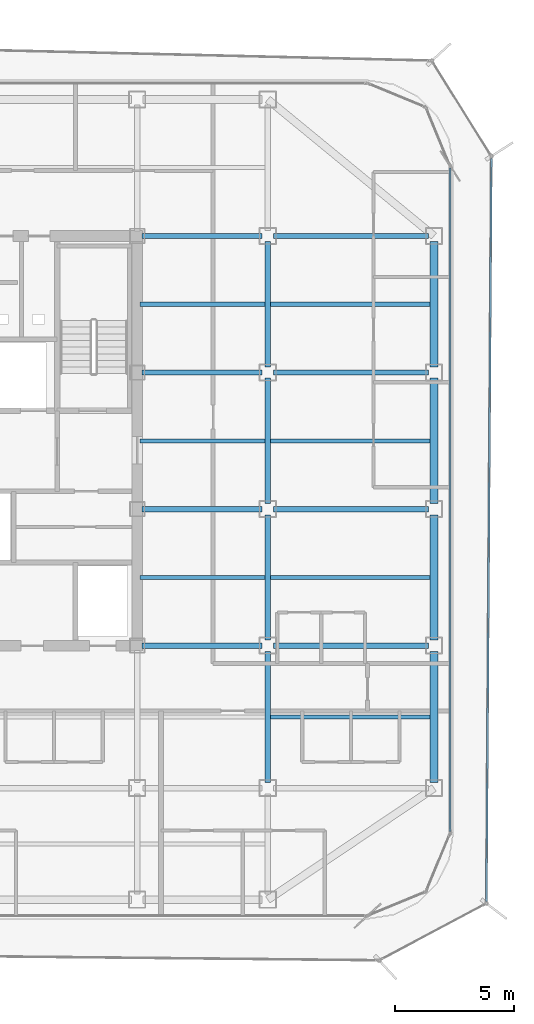
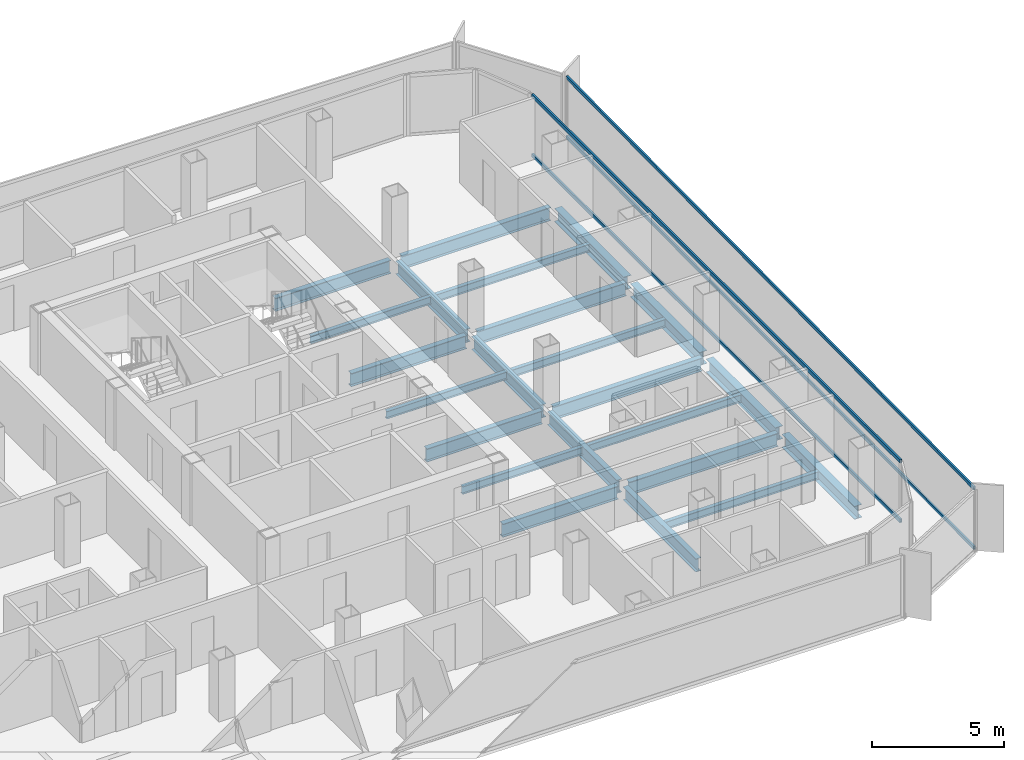
# One storey, part 5 of 16: 23 beams, 4 members, 2 elements without a shape of their own.
"""IFC4 building model written with IfcOpenShell, lengths in metres."""

from ifc_helpers import new_model, si_unit, direction, frame, origin, origin_2d, place, context, subcontext, project, spatial, hollow_rectangle, i_section, extrude, source, transform, mapped, material, layer, layer_set, material_profile, profile_set, type_object, element, aggregate, save


model = new_model("IFC4")

# Units and contexts
model_context = context("Model", 3, precision=1e-05, world=origin(), true_north=direction((0.0, 1.0)))
body_context = subcontext(model_context, "Body", "Model", "MODEL_VIEW")
ifc_project = project(units=[si_unit("LENGTHUNIT", "METRE"), si_unit("AREAUNIT", "SQUARE_METRE"), si_unit("VOLUMEUNIT", "CUBIC_METRE"), si_unit("PLANEANGLEUNIT", "RADIAN"), si_unit("MASSUNIT", "GRAM", prefix="KILO")], contexts=[model_context])

# Site, building, storey
site_placement = place(None, origin())
site = spatial("IfcSite", under=ifc_project, at=site_placement, CompositionType="ELEMENT")
building_placement = place(site_placement, origin())
building = spatial("IfcBuilding", under=site, at=building_placement, Name="Kolveth Station Tower", CompositionType="ELEMENT")
storey_placement = place(building_placement, frame((0.0, 0.0, 212.39990234375)))
storey = spatial("IfcBuildingStorey", under=building, at=storey_placement, Name="L60", CompositionType="ELEMENT", Elevation=212.39990234375)

# Beams
ifc_material_1 = material(Name="Steel S355", Category="steel")
ifc_material_profile_1 = material_profile(ifc_material_1, i_section(OverallWidth=0.323974609375, OverallDepth=0.611083984375, WebThickness=0.0126953125, FlangeThickness=0.01904296875, at=origin_2d()), Name="W610x155")
ifc_profile_set_1 = profile_set([ifc_material_profile_1], Name="Steel S355")
beam_type_1 = type_object("IfcBeamType", Name="Beam_SP2", PredefinedType="SPANDREL", material=ifc_profile_set_1)
shared_shape_1 = source(origin(), body_context, "Body", "SweptSolid", [
    extrude(i_section(OverallWidth=0.323974609375, OverallDepth=0.611083984375, WebThickness=0.0126953125, FlangeThickness=0.01904296875, at=origin_2d()), origin(), (0.0, 0.0, 1.0), 5.52001953125),
])
beam_1_placement = place(storey_placement, frame((41.0, 5.739990234375, -0.555419921875), z_axis=(0.0, 1.0, 0.0), x_axis=(-1.0, 0.0, 0.0)))
element("IfcBeam", 1, at=beam_1_placement, inside=storey, type_object=beam_type_1, Name="L60 Perimeter Spandrel BM-L60-PE-1", PredefinedType="SPANDREL", context=body_context, shape_type="MappedRepresentation", body=[
    mapped(shared_shape_1, transform((0.0, 0.0, 0.0), x_axis=(1.0, 0.0, 0.0), y_axis=(0.0, 1.0, 0.0), z_axis=(0.0, 0.0, 1.0), scale=1.0)),
])
shared_shape_2 = source(origin(), body_context, "Body", "SweptSolid", [
    extrude(i_section(OverallWidth=0.323974609375, OverallDepth=0.611083984375, WebThickness=0.0126953125, FlangeThickness=0.01904296875, at=origin_2d()), origin(), (0.0, 0.0, 1.0), 5.27001953125),
])
for number, where, z_axis, x_axis, name in (
    (2, (41.0, 11.739990234375, -0.555419921875), (0.0, 1.0, 0.0), (-1.0, 0.0, 0.0), "L60 Perimeter Spandrel BM-L60-PE-2"),
    (3, (41.0, 17.489990234375, -0.555419921875), (0.0, 1.0, 0.0), (-1.0, 0.0, 0.0), "L60 Perimeter Spandrel BM-L60-PE-3"),
    (4, (41.0, 23.239990234375, -0.555419921875), (0.0, 1.0, 0.0), (-1.0, 0.0, 0.0), "L60 Perimeter Spandrel BM-L60-PE-4"),
):
    element("IfcBeam", number, at=place(storey_placement, frame(where, z_axis=z_axis, x_axis=x_axis)), inside=storey, type_object=beam_type_1, Name=name, PredefinedType="SPANDREL", context=body_context, shape_type="MappedRepresentation", body=[
        mapped(shared_shape_2, transform((0.0, 0.0, 0.0), x_axis=(1.0, 0.0, 0.0), y_axis=(0.0, 1.0, 0.0), z_axis=(0.0, 0.0, 1.0), scale=1.0)),
    ])
ifc_material_profile_2 = material_profile(ifc_material_1, i_section(OverallWidth=0.22900390625, OverallDepth=0.612060546875, WebThickness=0.011962890625, FlangeThickness=0.01953125, at=origin_2d()), Name="W610x125")
ifc_profile_set_2 = profile_set([ifc_material_profile_2], Name="Steel S355")
beam_type_2 = type_object("IfcBeamType", Name="Beam_B5", PredefinedType="BEAM", material=ifc_profile_set_2)
shared_shape_3 = source(origin(), body_context, "Body", "SweptSolid", [
    extrude(i_section(OverallWidth=0.22900390625, OverallDepth=0.612060546875, WebThickness=0.011962890625, FlangeThickness=0.01953125, at=origin_2d()), origin(), (0.0, 0.0, 1.0), 6.52001953125),
])
for number, where, z_axis, x_axis, name in (
    (5, (34.239990234375, 11.5, -0.555908203125), (1.0, 0.0, 0.0), (0.0, 1.0, 0.0), "L60 Primary Girder BM-L60-GY115-6"),
    (6, (34.239990234375, 17.25, -0.555908203125), (1.0, 0.0, 0.0), (0.0, 1.0, 0.0), "L60 Primary Girder BM-L60-GY172-6"),
    (7, (34.239990234375, 23.0, -0.555908203125), (1.0, 0.0, 0.0), (0.0, 1.0, 0.0), "L60 Primary Girder BM-L60-GY230-6"),
    (8, (34.239990234375, 28.75, -0.555908203125), (1.0, 0.0, 0.0), (0.0, 1.0, 0.0), "L60 Primary Girder BM-L60-GY287-6"),
):
    element("IfcBeam", number, at=place(storey_placement, frame(where, z_axis=z_axis, x_axis=x_axis)), inside=storey, type_object=beam_type_2, Name=name, PredefinedType="BEAM", context=body_context, shape_type="MappedRepresentation", body=[
        mapped(shared_shape_3, transform((0.0, 0.0, 0.0), x_axis=(1.0, 0.0, 0.0), y_axis=(0.0, 1.0, 0.0), z_axis=(0.0, 0.0, 1.0), scale=1.0)),
    ])
shared_shape_4 = source(origin(), body_context, "Body", "SweptSolid", [
    extrude(i_section(OverallWidth=0.22900390625, OverallDepth=0.612060546875, WebThickness=0.011962890625, FlangeThickness=0.01953125, at=origin_2d()), origin(), (0.0, 0.0, 1.0), 5.06005859375),
])
for number, where, z_axis, x_axis, name in (
    (9, (28.699951171875, 11.5, -0.555908203125), (1.0, 0.0, 0.0), (0.0, 1.0, 0.0), "L60 Primary Girder BM-L60-GY115-5"),
    (10, (28.699951171875, 17.25, -0.555908203125), (1.0, 0.0, 0.0), (0.0, 1.0, 0.0), "L60 Primary Girder BM-L60-GY172-5"),
    (11, (28.699951171875, 23.0, -0.555908203125), (1.0, 0.0, 0.0), (0.0, 1.0, 0.0), "L60 Primary Girder BM-L60-GY230-5"),
    (12, (28.699951171875, 28.75, -0.555908203125), (1.0, 0.0, 0.0), (0.0, 1.0, 0.0), "L60 Primary Girder BM-L60-GY287-5"),
):
    element("IfcBeam", number, at=place(storey_placement, frame(where, z_axis=z_axis, x_axis=x_axis)), inside=storey, type_object=beam_type_2, Name=name, PredefinedType="BEAM", context=body_context, shape_type="MappedRepresentation", body=[
        mapped(shared_shape_4, transform((0.0, 0.0, 0.0), x_axis=(1.0, 0.0, 0.0), y_axis=(0.0, 1.0, 0.0), z_axis=(0.0, 0.0, 1.0), scale=1.0)),
    ])
shared_shape_5 = source(origin(), body_context, "Body", "SweptSolid", [
    extrude(i_section(OverallWidth=0.22900390625, OverallDepth=0.612060546875, WebThickness=0.011962890625, FlangeThickness=0.01953125, at=origin_2d()), origin(), (0.0, 0.0, 1.0), 5.52001953125),
])
beam_2_placement = place(storey_placement, frame((34.0, 5.739990234375, -0.555908203125), z_axis=(0.0, 1.0, 0.0), x_axis=(-1.0, 0.0, 0.0)))
element("IfcBeam", 13, at=beam_2_placement, inside=storey, type_object=beam_type_2, Name="L60 Primary Girder BM-L60-GX340-2", PredefinedType="BEAM", context=body_context, shape_type="MappedRepresentation", body=[
    mapped(shared_shape_5, transform((0.0, 0.0, 0.0), x_axis=(1.0, 0.0, 0.0), y_axis=(0.0, 1.0, 0.0), z_axis=(0.0, 0.0, 1.0), scale=1.0)),
])
shared_shape_6 = source(origin(), body_context, "Body", "SweptSolid", [
    extrude(i_section(OverallWidth=0.22900390625, OverallDepth=0.612060546875, WebThickness=0.011962890625, FlangeThickness=0.01953125, at=origin_2d()), origin(), (0.0, 0.0, 1.0), 5.27001953125),
])
for number, where, z_axis, x_axis, name in (
    (14, (34.0, 11.739990234375, -0.555908203125), (0.0, 1.0, 0.0), (-1.0, 0.0, 0.0), "L60 Primary Girder BM-L60-GX340-3"),
    (15, (34.0, 17.489990234375, -0.555908203125), (0.0, 1.0, 0.0), (-1.0, 0.0, 0.0), "L60 Primary Girder BM-L60-GX340-4"),
    (16, (34.0, 23.239990234375, -0.555908203125), (0.0, 1.0, 0.0), (-1.0, 0.0, 0.0), "L60 Primary Girder BM-L60-GX340-5"),
):
    element("IfcBeam", number, at=place(storey_placement, frame(where, z_axis=z_axis, x_axis=x_axis)), inside=storey, type_object=beam_type_2, Name=name, PredefinedType="BEAM", context=body_context, shape_type="MappedRepresentation", body=[
        mapped(shared_shape_6, transform((0.0, 0.0, 0.0), x_axis=(1.0, 0.0, 0.0), y_axis=(0.0, 1.0, 0.0), z_axis=(0.0, 0.0, 1.0), scale=1.0)),
    ])
ifc_material_profile_3 = material_profile(ifc_material_1, i_section(OverallWidth=0.1708984375, OverallDepth=0.35205078125, WebThickness=0.0068359375, FlangeThickness=0.009765625, at=origin_2d()), Name="W360x44")
ifc_profile_set_3 = profile_set([ifc_material_profile_3], Name="Steel S355")
beam_type_3 = type_object("IfcBeamType", Name="Beam_J2", PredefinedType="JOIST", material=ifc_profile_set_3)
shared_shape_7 = source(origin(), body_context, "Body", "SweptSolid", [
    extrude(i_section(OverallWidth=0.1708984375, OverallDepth=0.35205078125, WebThickness=0.0068359375, FlangeThickness=0.009765625, at=origin_2d()), origin(), (0.0, 0.0, 1.0), 5.27490234375),
])
for number, where, z_axis, x_axis, name in (
    (17, (28.612548828125, 14.375, -0.42578125), (1.0, 0.0, 0.0), (0.0, 1.0, 0.0), "L60 Secondary Joist JST-L60-5-3"),
    (18, (28.612548828125, 20.125, -0.42578125), (1.0, 0.0, 0.0), (0.0, 1.0, 0.0), "L60 Secondary Joist JST-L60-5-4"),
    (19, (28.612548828125, 25.875, -0.42578125), (1.0, 0.0, 0.0), (0.0, 1.0, 0.0), "L60 Secondary Joist JST-L60-5-5"),
):
    element("IfcBeam", number, at=place(storey_placement, frame(where, z_axis=z_axis, x_axis=x_axis)), inside=storey, type_object=beam_type_3, Name=name, PredefinedType="JOIST", context=body_context, shape_type="MappedRepresentation", body=[
        mapped(shared_shape_7, transform((0.0, 0.0, 0.0), x_axis=(1.0, 0.0, 0.0), y_axis=(0.0, 1.0, 0.0), z_axis=(0.0, 0.0, 1.0), scale=1.0)),
    ])
shared_shape_8 = source(origin(), body_context, "Body", "SweptSolid", [
    extrude(i_section(OverallWidth=0.1708984375, OverallDepth=0.35205078125, WebThickness=0.0068359375, FlangeThickness=0.009765625, at=origin_2d()), origin(), (0.0, 0.0, 1.0), 6.7275390625),
])
for number, where, z_axis, x_axis, name in (
    (20, (34.112548828125, 8.5, -0.42578125), (1.0, 0.0, 0.0), (0.0, 1.0, 0.0), "L60 Secondary Joist JST-L60-6-2"),
    (21, (34.112548828125, 14.375, -0.42578125), (1.0, 0.0, 0.0), (0.0, 1.0, 0.0), "L60 Secondary Joist JST-L60-6-3"),
    (22, (34.112548828125, 20.125, -0.42578125), (1.0, 0.0, 0.0), (0.0, 1.0, 0.0), "L60 Secondary Joist JST-L60-6-4"),
    (23, (34.112548828125, 25.875, -0.42578125), (1.0, 0.0, 0.0), (0.0, 1.0, 0.0), "L60 Secondary Joist JST-L60-6-5"),
):
    element("IfcBeam", number, at=place(storey_placement, frame(where, z_axis=z_axis, x_axis=x_axis)), inside=storey, type_object=beam_type_3, Name=name, PredefinedType="JOIST", context=body_context, shape_type="MappedRepresentation", body=[
        mapped(shared_shape_8, transform((0.0, 0.0, 0.0), x_axis=(1.0, 0.0, 0.0), y_axis=(0.0, 1.0, 0.0), z_axis=(0.0, 0.0, 1.0), scale=1.0)),
    ])

# Curtain wall, members
ifc_material_2 = material(Name="Aluminium 6063-T6 and low-E dark glass", Category="aluminium")
ifc_layer_1 = layer(ifc_material_2, 0.18994140625)
ifc_layer_set_1 = layer_set([ifc_layer_1], Name="Aluminium 6063-T6 and low-E dark glass")
curtain_wall_type_1 = type_object("IfcCurtainWallType", Name="CurtainWall_CW-Z2", PredefinedType="NOTDEFINED", material=ifc_layer_set_1)
curtain_wall_1_placement = place(storey_placement, origin())
curtain_wall_1 = element("IfcCurtainWall", 24, at=curtain_wall_1_placement, inside=storey, type_object=curtain_wall_type_1, Name="L60 Inner Thermal Curtain Wall 3", PredefinedType="NOTDEFINED")
ifc_material_3 = material(Name="Black anodized aluminium 6063-T6", Category="aluminium")
ifc_material_profile_4 = material_profile(ifc_material_3, hollow_rectangle(XDim=0.080078125, YDim=0.169921875, WallThickness=0.0048828125, at=origin_2d()), Name="ALU-80x170x5")
ifc_profile_set_4 = profile_set([ifc_material_profile_4], Name="Black anodized aluminium 6063-T6")
member_type_1 = type_object("IfcMemberType", Name="Transom_TR2", PredefinedType="USERDEFINED", material=ifc_profile_set_4)
shared_shape_9 = source(origin(), body_context, "Body", "SweptSolid", [
    extrude(hollow_rectangle(XDim=0.080078125, YDim=0.169921875, WallThickness=0.0048828125, at=origin_2d()), origin(), (0.0, 0.0, 1.0), 27.940185546875),
])
member_1_placement = place(storey_placement, frame((41.679931640625, 3.679931640625, 0.0400390625), z_axis=(0.0, 1.0, 0.0), x_axis=(-1.0, 0.0, 0.0)))
member_1 = element("IfcMember", 25, at=member_1_placement, type_object=member_type_1, Name="CW-Z2 transom 1.1", ObjectType="TRANSOM", PredefinedType="USERDEFINED", context=body_context, shape_type="MappedRepresentation", body=[
    mapped(shared_shape_9, transform((0.0, 0.0, 0.0), x_axis=(1.0, 0.0, 0.0), y_axis=(0.0, 1.0, 0.0), z_axis=(0.0, 0.0, 1.0), scale=1.0)),
])
member_2_placement = place(storey_placement, frame((41.679931640625, 3.679931640625, 2.800048828125), z_axis=(0.0, 1.0, 0.0), x_axis=(-1.0, 0.0, 0.0)))
member_2 = element("IfcMember", 26, at=member_2_placement, type_object=member_type_1, Name="CW-Z2 transom 1.2", ObjectType="TRANSOM", PredefinedType="USERDEFINED", context=body_context, shape_type="MappedRepresentation", body=[
    mapped(shared_shape_9, transform((0.0, 0.0, 0.0), x_axis=(1.0, 0.0, 0.0), y_axis=(0.0, 1.0, 0.0), z_axis=(0.0, 0.0, 1.0), scale=1.0)),
])
aggregate(curtain_wall_1, [member_1, member_2])

ifc_material_4 = material(Name="Black anodized aluminium 6063-T6 and dark solar glass", Category="aluminium")
ifc_layer_2 = layer(ifc_material_4, 0.159912109375)
ifc_layer_set_2 = layer_set([ifc_layer_2], Name="Black anodized aluminium 6063-T6 and dark solar glass")
curtain_wall_type_2 = type_object("IfcCurtainWallType", Name="OUTER SKIN CW-OS", PredefinedType="NOTDEFINED", material=ifc_layer_set_2)
curtain_wall_2_placement = place(storey_placement, origin())
curtain_wall_2 = element("IfcCurtainWall", 27, at=curtain_wall_2_placement, inside=storey, type_object=curtain_wall_type_2, Name="L60 Outer Ventilated Skin Curtain Wall 2", PredefinedType="NOTDEFINED")
ifc_material_profile_5 = material_profile(ifc_material_3, hollow_rectangle(XDim=0.080078125, YDim=0.14990234375, WallThickness=0.0048828125, at=origin_2d()), Name="ALU-80x150x5")
ifc_profile_set_5 = profile_set([ifc_material_profile_5], Name="Black anodized aluminium 6063-T6")
member_type_2 = type_object("IfcMemberType", Name="Transom_TR-OS", PredefinedType="USERDEFINED", material=ifc_profile_set_5)
shared_shape_10 = source(origin(), body_context, "Body", "SweptSolid", [
    extrude(hollow_rectangle(XDim=0.080078125, YDim=0.14990234375, WallThickness=0.0048828125, at=origin_2d()), origin(), (0.0, 0.0, 1.0), 31.283447265625),
])
member_3_placement = place(storey_placement, frame((43.207275390625, 0.7333984375, 0.0400390625), z_axis=(0.006649142038, 0.999977894211, 0.0), x_axis=(-0.999977894211, 0.006649142038, 0.0)))
member_3 = element("IfcMember", 28, at=member_3_placement, type_object=member_type_2, Name="CW-OS transom 1.1", ObjectType="TRANSOM", PredefinedType="USERDEFINED", context=body_context, shape_type="MappedRepresentation", body=[
    mapped(shared_shape_10, transform((0.0, 0.0, 0.0), x_axis=(1.0, 0.0, 0.0), y_axis=(0.0, 1.0, 0.0), z_axis=(0.0, 0.0, 1.0), scale=1.0)),
])
member_4_placement = place(storey_placement, frame((43.207275390625, 0.7333984375, 2.800048828125), z_axis=(0.006649142038, 0.999977894211, 0.0), x_axis=(-0.999977894211, 0.006649142038, 0.0)))
member_4 = element("IfcMember", 29, at=member_4_placement, type_object=member_type_2, Name="CW-OS transom 1.2", ObjectType="TRANSOM", PredefinedType="USERDEFINED", context=body_context, shape_type="MappedRepresentation", body=[
    mapped(shared_shape_10, transform((0.0, 0.0, 0.0), x_axis=(1.0, 0.0, 0.0), y_axis=(0.0, 1.0, 0.0), z_axis=(0.0, 0.0, 1.0), scale=1.0)),
])
aggregate(curtain_wall_2, [member_3, member_4])

save(model, "model.ifc")
